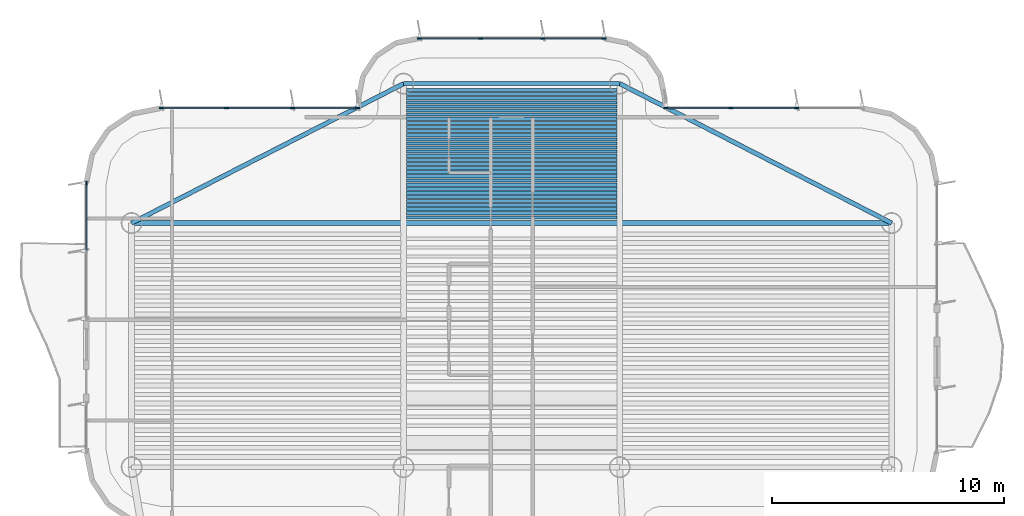
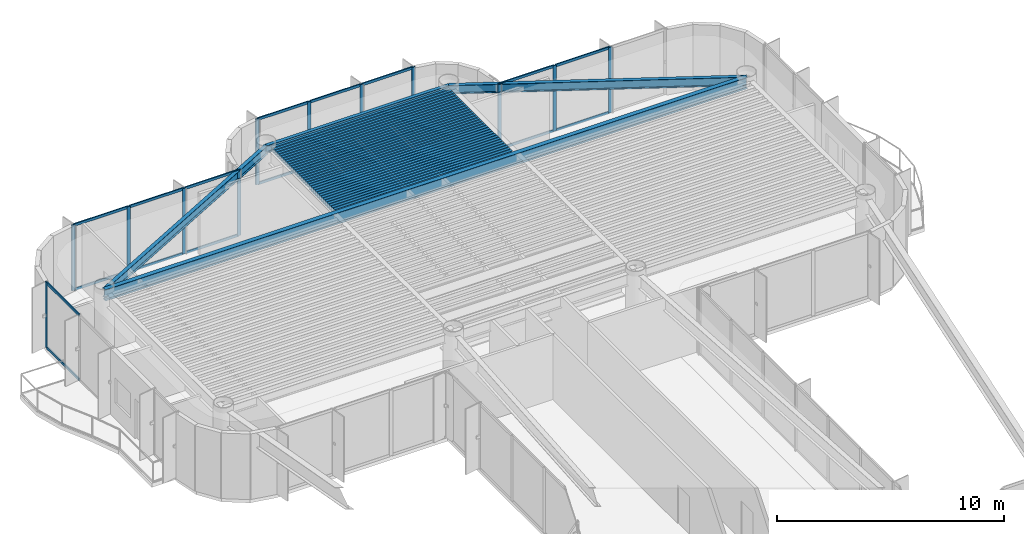
# One storey, part 7 of 15: 36 beams, 30 members, 4 elements without a shape of their own.
"""IFC4 building model written with IfcOpenShell, lengths in metres."""

from ifc_helpers import new_model, si_unit, direction, frame, origin, origin_2d, place, context, subcontext, project, spatial, rectangle, i_section, extrude, source, transform, mapped, material, layer, layer_set, material_profile, profile_set, type_object, element, aggregate, save


model = new_model("IFC4")

# Units and contexts
model_context = context("Model", 3, precision=1e-05, world=origin(), true_north=direction((0.0, 1.0)))
body_context = subcontext(model_context, "Body", "Model", "MODEL_VIEW")
ifc_project = project(units=[si_unit("LENGTHUNIT", "METRE"), si_unit("AREAUNIT", "SQUARE_METRE"), si_unit("VOLUMEUNIT", "CUBIC_METRE"), si_unit("PLANEANGLEUNIT", "RADIAN"), si_unit("MASSUNIT", "GRAM", prefix="KILO")], contexts=[model_context])

# Site, building, storey
site_placement = place(None, origin())
site = spatial("IfcSite", under=ifc_project, at=site_placement, CompositionType="ELEMENT")
building_placement = place(site_placement, origin())
building = spatial("IfcBuilding", under=site, at=building_placement, Name="Brelvock Crest Care Tower", CompositionType="ELEMENT")
storey_placement = place(building_placement, frame((0.0, 0.0, 283.5)))
storey = spatial("IfcBuildingStorey", under=building, at=storey_placement, Name="L72", CompositionType="ELEMENT", Elevation=283.5)

# Beams
ifc_material_1 = material(Name="Steel Grade 350", Category="steel")
ifc_material_profile_1 = material_profile(ifc_material_1, i_section(OverallWidth=0.177978515625, OverallDepth=0.406005859375, WebThickness=0.0078125, FlangeThickness=0.0126953125, FilletRadius=0.011474609375, at=origin_2d()), Name="410UB59.7")
ifc_profile_set_1 = profile_set([ifc_material_profile_1], Name="Steel Grade 350")
beam_type_1 = type_object("IfcBeamType", Name="BM-SP1", PredefinedType="SPANDREL", material=ifc_profile_set_1)
shared_shape_1 = source(origin(), body_context, "Body", "SweptSolid", [
    extrude(i_section(OverallWidth=0.177978515625, OverallDepth=0.406005859375, WebThickness=0.0078125, FlangeThickness=0.0126953125, FilletRadius=0.011474609375, at=origin_2d()), origin(), (0.0, 0.0, 1.0), 9.2998046875),
])
beam_1_placement = place(storey_placement, frame((31.35009765625, 60.449951171875, 3.326904296875), z_axis=(1.0, 0.0, 0.0), x_axis=(0.0, 1.0, 0.0)))
element("IfcBeam", 1, at=beam_1_placement, inside=storey, type_object=beam_type_1, Name="BM-TWR-L72-08", PredefinedType="SPANDREL", context=body_context, shape_type="MappedRepresentation", body=[
    mapped(shared_shape_1, transform((0.0, 0.0, 0.0), x_axis=(1.0, 0.0, 0.0), y_axis=(0.0, 1.0, 0.0), z_axis=(0.0, 0.0, 1.0), scale=1.0)),
])
ifc_material_profile_2 = material_profile(ifc_material_1, i_section(OverallWidth=0.14599609375, OverallDepth=0.256103515625, WebThickness=0.00634765625, FlangeThickness=0.010986328125, FilletRadius=0.0087890625, at=origin_2d()), Name="250UB37.3")
ifc_profile_set_2 = profile_set([ifc_material_profile_2], Name="Steel Grade 350")
beam_type_2 = type_object("IfcBeamType", Name="BM-J3", PredefinedType="JOIST", material=ifc_profile_set_2)
shared_shape_2 = source(origin(), body_context, "Body", "SweptSolid", [
    extrude(i_section(OverallWidth=0.14599609375, OverallDepth=0.256103515625, WebThickness=0.00634765625, FlangeThickness=0.010986328125, FilletRadius=0.0087890625, at=origin_2d()), origin(), (0.0, 0.0, 1.0), 9.06982421875),
])
for number, where, z_axis, x_axis, name in (
    (2, (31.465087890625, 54.68994140625, 3.402099609375), (1.0, 0.0, 0.0), (0.0, 1.0, 0.0), "BM-JN-L72-1"),
    (3, (31.465087890625, 54.866943359375, 3.402099609375), (1.0, 0.0, 0.0), (0.0, 1.0, 0.0), "BM-JN-L72-2"),
    (4, (31.465087890625, 55.0439453125, 3.402099609375), (1.0, 0.0, 0.0), (0.0, 1.0, 0.0), "BM-JN-L72-3"),
    (5, (31.465087890625, 55.220947265625, 3.402099609375), (1.0, 0.0, 0.0), (0.0, 1.0, 0.0), "BM-JN-L72-4"),
    (6, (31.465087890625, 55.39794921875, 3.402099609375), (1.0, 0.0, 0.0), (0.0, 1.0, 0.0), "BM-JN-L72-5"),
    (7, (31.465087890625, 55.574951171875, 3.402099609375), (1.0, 0.0, 0.0), (0.0, 1.0, 0.0), "BM-JN-L72-6"),
    (8, (31.465087890625, 55.751953125, 3.402099609375), (1.0, 0.0, 0.0), (0.0, 1.0, 0.0), "BM-JN-L72-7"),
    (9, (31.465087890625, 55.928955078125, 3.402099609375), (1.0, 0.0, 0.0), (0.0, 1.0, 0.0), "BM-JN-L72-8"),
    (10, (31.465087890625, 56.10595703125, 3.402099609375), (1.0, 0.0, 0.0), (0.0, 1.0, 0.0), "BM-JN-L72-9"),
    (11, (31.465087890625, 56.282958984375, 3.402099609375), (1.0, 0.0, 0.0), (0.0, 1.0, 0.0), "BM-JN-L72-10"),
    (12, (31.465087890625, 56.4599609375, 3.402099609375), (1.0, 0.0, 0.0), (0.0, 1.0, 0.0), "BM-JN-L72-11"),
    (13, (31.465087890625, 56.636962890625, 3.402099609375), (1.0, 0.0, 0.0), (0.0, 1.0, 0.0), "BM-JN-L72-12"),
    (14, (31.465087890625, 56.81396484375, 3.402099609375), (1.0, 0.0, 0.0), (0.0, 1.0, 0.0), "BM-JN-L72-13"),
):
    element("IfcBeam", number, at=place(storey_placement, frame(where, z_axis=z_axis, x_axis=x_axis)), inside=storey, type_object=beam_type_2, Name=name, PredefinedType="JOIST", context=body_context, shape_type="MappedRepresentation", body=[
        mapped(shared_shape_2, transform((0.0, 0.0, 0.0), x_axis=(1.0, 0.0, 0.0), y_axis=(0.0, 1.0, 0.0), z_axis=(0.0, 0.0, 1.0), scale=1.0)),
    ])
ifc_material_profile_3 = material_profile(ifc_material_1, i_section(OverallWidth=0.134033203125, OverallDepth=0.20703125, WebThickness=0.00634765625, FlangeThickness=0.009521484375, FilletRadius=0.0087890625, at=origin_2d()), Name="200UB29.8")
ifc_profile_set_3 = profile_set([ifc_material_profile_3], Name="Steel Grade 350")
beam_type_3 = type_object("IfcBeamType", Name="BM-J4", PredefinedType="JOIST", material=ifc_profile_set_3)
shared_shape_3 = source(origin(), body_context, "Body", "SweptSolid", [
    extrude(i_section(OverallWidth=0.134033203125, OverallDepth=0.20703125, WebThickness=0.00634765625, FlangeThickness=0.009521484375, FilletRadius=0.0087890625, at=origin_2d()), origin(), (0.0, 0.0, 1.0), 9.06982421875),
])
for number, where, z_axis, x_axis, name in (
    (15, (31.465087890625, 56.990966796875, 3.426513671875), (1.0, 0.0, 0.0), (0.0, 1.0, 0.0), "BM-JN-L72-14"),
    (16, (31.465087890625, 57.16796875, 3.426513671875), (1.0, 0.0, 0.0), (0.0, 1.0, 0.0), "BM-JN-L72-15"),
    (17, (31.465087890625, 57.344970703125, 3.426513671875), (1.0, 0.0, 0.0), (0.0, 1.0, 0.0), "BM-JN-L72-16"),
    (18, (31.465087890625, 57.52197265625, 3.426513671875), (1.0, 0.0, 0.0), (0.0, 1.0, 0.0), "BM-JN-L72-17"),
    (19, (31.465087890625, 57.698974609375, 3.426513671875), (1.0, 0.0, 0.0), (0.0, 1.0, 0.0), "BM-JN-L72-18"),
    (20, (31.465087890625, 57.8759765625, 3.426513671875), (1.0, 0.0, 0.0), (0.0, 1.0, 0.0), "BM-JN-L72-19"),
    (21, (31.465087890625, 58.052978515625, 3.426513671875), (1.0, 0.0, 0.0), (0.0, 1.0, 0.0), "BM-JN-L72-20"),
    (22, (31.465087890625, 58.22998046875, 3.426513671875), (1.0, 0.0, 0.0), (0.0, 1.0, 0.0), "BM-JN-L72-21"),
    (23, (31.465087890625, 58.406982421875, 3.426513671875), (1.0, 0.0, 0.0), (0.0, 1.0, 0.0), "BM-JN-L72-22"),
    (24, (31.465087890625, 58.583984375, 3.426513671875), (1.0, 0.0, 0.0), (0.0, 1.0, 0.0), "BM-JN-L72-23"),
    (25, (31.465087890625, 58.760986328125, 3.426513671875), (1.0, 0.0, 0.0), (0.0, 1.0, 0.0), "BM-JN-L72-24"),
    (26, (31.465087890625, 58.93798828125, 3.426513671875), (1.0, 0.0, 0.0), (0.0, 1.0, 0.0), "BM-JN-L72-25"),
    (27, (31.465087890625, 59.114990234375, 3.426513671875), (1.0, 0.0, 0.0), (0.0, 1.0, 0.0), "BM-JN-L72-26"),
    (28, (31.465087890625, 59.2919921875, 3.426513671875), (1.0, 0.0, 0.0), (0.0, 1.0, 0.0), "BM-JN-L72-27"),
    (29, (31.465087890625, 59.468994140625, 3.426513671875), (1.0, 0.0, 0.0), (0.0, 1.0, 0.0), "BM-JN-L72-28"),
    (30, (31.465087890625, 59.64599609375, 3.426513671875), (1.0, 0.0, 0.0), (0.0, 1.0, 0.0), "BM-JN-L72-29"),
    (31, (31.465087890625, 59.822998046875, 3.426513671875), (1.0, 0.0, 0.0), (0.0, 1.0, 0.0), "BM-JN-L72-30"),
    (32, (31.465087890625, 60.0, 3.426513671875), (1.0, 0.0, 0.0), (0.0, 1.0, 0.0), "BM-JN-L72-31"),
    (33, (31.465087890625, 60.177001953125, 3.426513671875), (1.0, 0.0, 0.0), (0.0, 1.0, 0.0), "BM-JN-L72-32"),
):
    element("IfcBeam", number, at=place(storey_placement, frame(where, z_axis=z_axis, x_axis=x_axis)), inside=storey, type_object=beam_type_3, Name=name, PredefinedType="JOIST", context=body_context, shape_type="MappedRepresentation", body=[
        mapped(shared_shape_3, transform((0.0, 0.0, 0.0), x_axis=(1.0, 0.0, 0.0), y_axis=(0.0, 1.0, 0.0), z_axis=(0.0, 0.0, 1.0), scale=1.0)),
    ])
ifc_material_profile_4 = material_profile(ifc_material_1, i_section(OverallWidth=0.19091796875, OverallDepth=0.4599609375, WebThickness=0.010009765625, FlangeThickness=0.01611328125, FilletRadius=0.011474609375, at=origin_2d()), Name="460UB82.1")
ifc_profile_set_4 = profile_set([ifc_material_profile_4], Name="Steel Grade 350")
beam_type_4 = type_object("IfcBeamType", Name="BM-SP2", PredefinedType="SPANDREL", material=ifc_profile_set_4)
shared_shape_4 = source(origin(), body_context, "Body", "SweptSolid", [
    extrude(i_section(OverallWidth=0.19091796875, OverallDepth=0.4599609375, WebThickness=0.010009765625, FlangeThickness=0.01611328125, FilletRadius=0.011474609375, at=origin_2d()), origin(), (0.0, 0.0, 1.0), 13.14892578125),
])
for number, where, z_axis, x_axis, name in (
    (34, (19.64990234375, 54.449951171875, 3.300048828125), (0.889820555736, 0.456310616346, 0.0), (-0.456310616346, 0.889820555736, 0.0), "BM-TWR-L72-06"),
    (35, (40.64990234375, 60.449951171875, 3.300048828125), (0.889820555736, -0.456310616346, 0.0), (0.456310616346, 0.889820555736, 0.0), "BM-TWR-L72-07"),
):
    element("IfcBeam", number, at=place(storey_placement, frame(where, z_axis=z_axis, x_axis=x_axis)), inside=storey, type_object=beam_type_4, Name=name, PredefinedType="SPANDREL", context=body_context, shape_type="MappedRepresentation", body=[
        mapped(shared_shape_4, transform((0.0, 0.0, 0.0), x_axis=(1.0, 0.0, 0.0), y_axis=(0.0, 1.0, 0.0), z_axis=(0.0, 0.0, 1.0), scale=1.0)),
    ])
ifc_material_profile_5 = material_profile(ifc_material_1, i_section(OverallWidth=0.22900390625, OverallDepth=0.612060546875, WebThickness=0.011962890625, FlangeThickness=0.01953125, FilletRadius=0.013916015625, at=origin_2d()), Name="610UB125")
ifc_profile_set_5 = profile_set([ifc_material_profile_5], Name="Steel Grade 350")
beam_type_5 = type_object("IfcBeamType", Name="BM-G1", PredefinedType="BEAM", material=ifc_profile_set_5)
shared_shape_5 = source(origin(), body_context, "Body", "SweptSolid", [
    extrude(i_section(OverallWidth=0.22900390625, OverallDepth=0.612060546875, WebThickness=0.011962890625, FlangeThickness=0.01953125, FilletRadius=0.013916015625, at=origin_2d()), origin(), (0.0, 0.0, 1.0), 32.7001953125),
])
beam_2_placement = place(storey_placement, frame((19.64990234375, 54.449951171875, 3.22412109375), z_axis=(1.0, 0.0, 0.0), x_axis=(0.0, 1.0, 0.0)))
element("IfcBeam", 36, at=beam_2_placement, inside=storey, type_object=beam_type_5, Name="BM-TWR-L72-11", PredefinedType="BEAM", context=body_context, shape_type="MappedRepresentation", body=[
    mapped(shared_shape_5, transform((0.0, 0.0, 0.0), x_axis=(1.0, 0.0, 0.0), y_axis=(0.0, 1.0, 0.0), z_axis=(0.0, 0.0, 1.0), scale=1.0)),
])

# Curtain wall, member
ifc_material_2 = material(Name="Dark Glass Double Glazed Low-E", Category="glass")
ifc_layer = layer(ifc_material_2, 0.239990234375, Name="CWS-5")
ifc_layer_set = layer_set([ifc_layer], Name="Dark Glass Double Glazed Low-E")
curtain_wall_type = type_object("IfcCurtainWallType", Name="CWS-5", PredefinedType="NOTDEFINED", material=ifc_layer_set)
curtain_wall_1_placement = place(storey_placement, origin())
curtain_wall_1 = element("IfcCurtainWall", 37, at=curtain_wall_1_placement, inside=storey, type_object=curtain_wall_type, Name="L72 Curtain Wall E17B", PredefinedType="NOTDEFINED")
ifc_material_3 = material(Name="Aluminium 6063-T6", Category="aluminium")
ifc_material_profile_6 = material_profile(ifc_material_3, rectangle(XDim=0.06005859375, YDim=0.179931640625, at=origin_2d()), Name="ALU60x180")
ifc_profile_set_6 = profile_set([ifc_material_profile_6], Name="Aluminium 6063-T6")
member_type_1 = type_object("IfcMemberType", Name="CWM-2", PredefinedType="MULLION", material=ifc_profile_set_6)
shared_shape_6 = source(origin(), body_context, "Body", "SweptSolid", [
    extrude(rectangle(XDim=0.06005859375, YDim=0.179931640625, at=origin_2d()), origin(), (0.0, 0.0, 1.0), 3.530029296875),
])
member_1_placement = place(storey_placement, frame((17.699951171875, 56.169921875, 0.0), z_axis=(0.0, 0.0, 1.0), x_axis=(-1.0, 0.0, 0.0)))
member_1 = element("IfcMember", 38, at=member_1_placement, type_object=member_type_1, Name="CW-5 mullion 3", PredefinedType="MULLION", context=body_context, shape_type="MappedRepresentation", body=[
    mapped(shared_shape_6, transform((0.0, 0.0, 0.0), x_axis=(1.0, 0.0, 0.0), y_axis=(0.0, 1.0, 0.0), z_axis=(0.0, 0.0, 1.0), scale=1.0)),
])

# Curtain wall, members
curtain_wall_2_placement = place(storey_placement, origin())
curtain_wall_2 = element("IfcCurtainWall", 39, at=curtain_wall_2_placement, inside=storey, type_object=curtain_wall_type, Name="L72 Curtain Wall E22", PredefinedType="NOTDEFINED")
member_2_placement = place(storey_placement, frame((20.929931640625, 59.39990234375, 0.0), z_axis=(0.0, 0.0, 1.0), x_axis=(0.0, 1.0, 0.0)))
member_2 = element("IfcMember", 40, at=member_2_placement, type_object=member_type_1, Name="CW-5 mullion 1", PredefinedType="MULLION", context=body_context, shape_type="MappedRepresentation", body=[
    mapped(shared_shape_6, transform((0.0, 0.0, 0.0), x_axis=(1.0, 0.0, 0.0), y_axis=(0.0, 1.0, 0.0), z_axis=(0.0, 0.0, 1.0), scale=1.0)),
])
member_3_placement = place(storey_placement, frame((23.7333984375, 59.39990234375, 0.0), z_axis=(0.0, 0.0, 1.0), x_axis=(0.0, 1.0, 0.0)))
member_3 = element("IfcMember", 41, at=member_3_placement, type_object=member_type_1, Name="CW-5 mullion 2", PredefinedType="MULLION", context=body_context, shape_type="MappedRepresentation", body=[
    mapped(shared_shape_6, transform((0.0, 0.0, 0.0), x_axis=(1.0, 0.0, 0.0), y_axis=(0.0, 1.0, 0.0), z_axis=(0.0, 0.0, 1.0), scale=1.0)),
])
member_4_placement = place(storey_placement, frame((26.566650390625, 59.39990234375, 0.0), z_axis=(0.0, 0.0, 1.0), x_axis=(0.0, 1.0, 0.0)))
member_4 = element("IfcMember", 42, at=member_4_placement, type_object=member_type_1, Name="CW-5 mullion 3", PredefinedType="MULLION", context=body_context, shape_type="MappedRepresentation", body=[
    mapped(shared_shape_6, transform((0.0, 0.0, 0.0), x_axis=(1.0, 0.0, 0.0), y_axis=(0.0, 1.0, 0.0), z_axis=(0.0, 0.0, 1.0), scale=1.0)),
])
member_5_placement = place(storey_placement, frame((29.3701171875, 59.39990234375, 0.0), z_axis=(0.0, 0.0, 1.0), x_axis=(0.0, 1.0, 0.0)))
member_5 = element("IfcMember", 43, at=member_5_placement, type_object=member_type_1, Name="CW-5 mullion 4", PredefinedType="MULLION", context=body_context, shape_type="MappedRepresentation", body=[
    mapped(shared_shape_6, transform((0.0, 0.0, 0.0), x_axis=(1.0, 0.0, 0.0), y_axis=(0.0, 1.0, 0.0), z_axis=(0.0, 0.0, 1.0), scale=1.0)),
])

curtain_wall_3_placement = place(storey_placement, origin())
curtain_wall_3 = element("IfcCurtainWall", 44, at=curtain_wall_3_placement, inside=storey, type_object=curtain_wall_type, Name="L72 Curtain Wall E28", PredefinedType="NOTDEFINED")
member_6_placement = place(storey_placement, frame((32.030029296875, 62.39990234375, 0.0), z_axis=(0.0, 0.0, 1.0), x_axis=(0.0, 1.0, 0.0)))
member_6 = element("IfcMember", 45, at=member_6_placement, type_object=member_type_1, Name="CW-5 mullion 1", PredefinedType="MULLION", context=body_context, shape_type="MappedRepresentation", body=[
    mapped(shared_shape_6, transform((0.0, 0.0, 0.0), x_axis=(1.0, 0.0, 0.0), y_axis=(0.0, 1.0, 0.0), z_axis=(0.0, 0.0, 1.0), scale=1.0)),
])
member_7_placement = place(storey_placement, frame((34.666748046875, 62.39990234375, 0.0), z_axis=(0.0, 0.0, 1.0), x_axis=(0.0, 1.0, 0.0)))
member_7 = element("IfcMember", 46, at=member_7_placement, type_object=member_type_1, Name="CW-5 mullion 2", PredefinedType="MULLION", context=body_context, shape_type="MappedRepresentation", body=[
    mapped(shared_shape_6, transform((0.0, 0.0, 0.0), x_axis=(1.0, 0.0, 0.0), y_axis=(0.0, 1.0, 0.0), z_axis=(0.0, 0.0, 1.0), scale=1.0)),
])
member_8_placement = place(storey_placement, frame((37.333251953125, 62.39990234375, 0.0), z_axis=(0.0, 0.0, 1.0), x_axis=(0.0, 1.0, 0.0)))
member_8 = element("IfcMember", 47, at=member_8_placement, type_object=member_type_1, Name="CW-5 mullion 3", PredefinedType="MULLION", context=body_context, shape_type="MappedRepresentation", body=[
    mapped(shared_shape_6, transform((0.0, 0.0, 0.0), x_axis=(1.0, 0.0, 0.0), y_axis=(0.0, 1.0, 0.0), z_axis=(0.0, 0.0, 1.0), scale=1.0)),
])
member_9_placement = place(storey_placement, frame((39.969970703125, 62.39990234375, 0.0), z_axis=(0.0, 0.0, 1.0), x_axis=(0.0, 1.0, 0.0)))
member_9 = element("IfcMember", 48, at=member_9_placement, type_object=member_type_1, Name="CW-5 mullion 4", PredefinedType="MULLION", context=body_context, shape_type="MappedRepresentation", body=[
    mapped(shared_shape_6, transform((0.0, 0.0, 0.0), x_axis=(1.0, 0.0, 0.0), y_axis=(0.0, 1.0, 0.0), z_axis=(0.0, 0.0, 1.0), scale=1.0)),
])

curtain_wall_4_placement = place(storey_placement, origin())
curtain_wall_4 = element("IfcCurtainWall", 49, at=curtain_wall_4_placement, inside=storey, type_object=curtain_wall_type, Name="L72 Curtain Wall E34", PredefinedType="NOTDEFINED")
member_10_placement = place(storey_placement, frame((42.6298828125, 59.39990234375, 0.0), z_axis=(0.0, 0.0, 1.0), x_axis=(0.0, 1.0, 0.0)))
member_10 = element("IfcMember", 50, at=member_10_placement, type_object=member_type_1, Name="CW-5 mullion 1", PredefinedType="MULLION", context=body_context, shape_type="MappedRepresentation", body=[
    mapped(shared_shape_6, transform((0.0, 0.0, 0.0), x_axis=(1.0, 0.0, 0.0), y_axis=(0.0, 1.0, 0.0), z_axis=(0.0, 0.0, 1.0), scale=1.0)),
])
member_11_placement = place(storey_placement, frame((45.433349609375, 59.39990234375, 0.0), z_axis=(0.0, 0.0, 1.0), x_axis=(0.0, 1.0, 0.0)))
member_11 = element("IfcMember", 51, at=member_11_placement, type_object=member_type_1, Name="CW-5 mullion 2", PredefinedType="MULLION", context=body_context, shape_type="MappedRepresentation", body=[
    mapped(shared_shape_6, transform((0.0, 0.0, 0.0), x_axis=(1.0, 0.0, 0.0), y_axis=(0.0, 1.0, 0.0), z_axis=(0.0, 0.0, 1.0), scale=1.0)),
])
member_12_placement = place(storey_placement, frame((48.2666015625, 59.39990234375, 0.0), z_axis=(0.0, 0.0, 1.0), x_axis=(0.0, 1.0, 0.0)))
member_12 = element("IfcMember", 52, at=member_12_placement, type_object=member_type_1, Name="CW-5 mullion 3", PredefinedType="MULLION", context=body_context, shape_type="MappedRepresentation", body=[
    mapped(shared_shape_6, transform((0.0, 0.0, 0.0), x_axis=(1.0, 0.0, 0.0), y_axis=(0.0, 1.0, 0.0), z_axis=(0.0, 0.0, 1.0), scale=1.0)),
])

# Member
ifc_material_profile_7 = material_profile(ifc_material_3, rectangle(XDim=0.06005859375, YDim=0.139892578125, at=origin_2d()), Name="ALU60x140")
ifc_profile_set_7 = profile_set([ifc_material_profile_7], Name="Aluminium 6063-T6")
member_type_2 = type_object("IfcMemberType", Name="CWT-2", PredefinedType="USERDEFINED", material=ifc_profile_set_7)
shared_shape_7 = source(origin(), body_context, "Body", "SweptSolid", [
    extrude(rectangle(XDim=0.06005859375, YDim=0.139892578125, at=origin_2d()), origin(), (0.0, 0.0, 1.0), 2.57666015625),
])
member_13_placement = place(storey_placement, frame((32.06005859375, 62.39990234375, 0.030029296875), z_axis=(1.0, 0.0, 0.0), x_axis=(0.0, 1.0, 0.0)))
member_13 = element("IfcMember", 53, at=member_13_placement, type_object=member_type_2, Name="CW-5 transom 1.1", ObjectType="TRANSOM", PredefinedType="USERDEFINED", context=body_context, shape_type="MappedRepresentation", body=[
    mapped(shared_shape_7, transform((0.0, 0.0, 0.0), x_axis=(1.0, 0.0, 0.0), y_axis=(0.0, 1.0, 0.0), z_axis=(0.0, 0.0, 1.0), scale=1.0)),
])

member_14_placement = place(storey_placement, frame((32.06005859375, 62.39990234375, 3.5), z_axis=(1.0, 0.0, 0.0), x_axis=(0.0, 1.0, 0.0)))
member_14 = element("IfcMember", 54, at=member_14_placement, type_object=member_type_2, Name="CW-5 transom 1.2", ObjectType="TRANSOM", PredefinedType="USERDEFINED", context=body_context, shape_type="MappedRepresentation", body=[
    mapped(shared_shape_7, transform((0.0, 0.0, 0.0), x_axis=(1.0, 0.0, 0.0), y_axis=(0.0, 1.0, 0.0), z_axis=(0.0, 0.0, 1.0), scale=1.0)),
])

member_15_placement = place(storey_placement, frame((37.36328125, 62.39990234375, 0.030029296875), z_axis=(1.0, 0.0, 0.0), x_axis=(0.0, 1.0, 0.0)))
member_15 = element("IfcMember", 55, at=member_15_placement, type_object=member_type_2, Name="CW-5 transom 3.1", ObjectType="TRANSOM", PredefinedType="USERDEFINED", context=body_context, shape_type="MappedRepresentation", body=[
    mapped(shared_shape_7, transform((0.0, 0.0, 0.0), x_axis=(1.0, 0.0, 0.0), y_axis=(0.0, 1.0, 0.0), z_axis=(0.0, 0.0, 1.0), scale=1.0)),
])

member_16_placement = place(storey_placement, frame((37.36328125, 62.39990234375, 3.5), z_axis=(1.0, 0.0, 0.0), x_axis=(0.0, 1.0, 0.0)))
member_16 = element("IfcMember", 56, at=member_16_placement, type_object=member_type_2, Name="CW-5 transom 3.2", ObjectType="TRANSOM", PredefinedType="USERDEFINED", context=body_context, shape_type="MappedRepresentation", body=[
    mapped(shared_shape_7, transform((0.0, 0.0, 0.0), x_axis=(1.0, 0.0, 0.0), y_axis=(0.0, 1.0, 0.0), z_axis=(0.0, 0.0, 1.0), scale=1.0)),
])

shared_shape_8 = source(origin(), body_context, "Body", "SweptSolid", [
    extrude(rectangle(XDim=0.06005859375, YDim=0.139892578125, at=origin_2d()), origin(), (0.0, 0.0, 1.0), 2.743408203125),
])
member_17_placement = place(storey_placement, frame((20.9599609375, 59.39990234375, 0.030029296875), z_axis=(1.0, 0.0, 0.0), x_axis=(0.0, 1.0, 0.0)))
member_17 = element("IfcMember", 57, at=member_17_placement, type_object=member_type_2, Name="CW-5 transom 1.1", ObjectType="TRANSOM", PredefinedType="USERDEFINED", context=body_context, shape_type="MappedRepresentation", body=[
    mapped(shared_shape_8, transform((0.0, 0.0, 0.0), x_axis=(1.0, 0.0, 0.0), y_axis=(0.0, 1.0, 0.0), z_axis=(0.0, 0.0, 1.0), scale=1.0)),
])

member_18_placement = place(storey_placement, frame((20.9599609375, 59.39990234375, 3.5), z_axis=(1.0, 0.0, 0.0), x_axis=(0.0, 1.0, 0.0)))
member_18 = element("IfcMember", 58, at=member_18_placement, type_object=member_type_2, Name="CW-5 transom 1.2", ObjectType="TRANSOM", PredefinedType="USERDEFINED", context=body_context, shape_type="MappedRepresentation", body=[
    mapped(shared_shape_8, transform((0.0, 0.0, 0.0), x_axis=(1.0, 0.0, 0.0), y_axis=(0.0, 1.0, 0.0), z_axis=(0.0, 0.0, 1.0), scale=1.0)),
])

member_19_placement = place(storey_placement, frame((26.5966796875, 59.39990234375, 0.030029296875), z_axis=(1.0, 0.0, 0.0), x_axis=(0.0, 1.0, 0.0)))
member_19 = element("IfcMember", 59, at=member_19_placement, type_object=member_type_2, Name="CW-5 transom 3.1", ObjectType="TRANSOM", PredefinedType="USERDEFINED", context=body_context, shape_type="MappedRepresentation", body=[
    mapped(shared_shape_8, transform((0.0, 0.0, 0.0), x_axis=(1.0, 0.0, 0.0), y_axis=(0.0, 1.0, 0.0), z_axis=(0.0, 0.0, 1.0), scale=1.0)),
])

member_20_placement = place(storey_placement, frame((26.5966796875, 59.39990234375, 3.5), z_axis=(1.0, 0.0, 0.0), x_axis=(0.0, 1.0, 0.0)))
member_20 = element("IfcMember", 60, at=member_20_placement, type_object=member_type_2, Name="CW-5 transom 3.2", ObjectType="TRANSOM", PredefinedType="USERDEFINED", context=body_context, shape_type="MappedRepresentation", body=[
    mapped(shared_shape_8, transform((0.0, 0.0, 0.0), x_axis=(1.0, 0.0, 0.0), y_axis=(0.0, 1.0, 0.0), z_axis=(0.0, 0.0, 1.0), scale=1.0)),
])

member_21_placement = place(storey_placement, frame((42.659912109375, 59.39990234375, 0.030029296875), z_axis=(1.0, 0.0, 0.0), x_axis=(0.0, 1.0, 0.0)))
member_21 = element("IfcMember", 61, at=member_21_placement, type_object=member_type_2, Name="CW-5 transom 1.1", ObjectType="TRANSOM", PredefinedType="USERDEFINED", context=body_context, shape_type="MappedRepresentation", body=[
    mapped(shared_shape_8, transform((0.0, 0.0, 0.0), x_axis=(1.0, 0.0, 0.0), y_axis=(0.0, 1.0, 0.0), z_axis=(0.0, 0.0, 1.0), scale=1.0)),
])

member_22_placement = place(storey_placement, frame((42.659912109375, 59.39990234375, 3.5), z_axis=(1.0, 0.0, 0.0), x_axis=(0.0, 1.0, 0.0)))
member_22 = element("IfcMember", 62, at=member_22_placement, type_object=member_type_2, Name="CW-5 transom 1.2", ObjectType="TRANSOM", PredefinedType="USERDEFINED", context=body_context, shape_type="MappedRepresentation", body=[
    mapped(shared_shape_8, transform((0.0, 0.0, 0.0), x_axis=(1.0, 0.0, 0.0), y_axis=(0.0, 1.0, 0.0), z_axis=(0.0, 0.0, 1.0), scale=1.0)),
])

shared_shape_9 = source(origin(), body_context, "Body", "SweptSolid", [
    extrude(rectangle(XDim=0.06005859375, YDim=0.139892578125, at=origin_2d()), origin(), (0.0, 0.0, 1.0), 2.773193359375),
])
member_23_placement = place(storey_placement, frame((23.763427734375, 59.39990234375, 0.030029296875), z_axis=(1.0, 0.0, 0.0), x_axis=(0.0, 1.0, 0.0)))
member_23 = element("IfcMember", 63, at=member_23_placement, type_object=member_type_2, Name="CW-5 transom 2.1", ObjectType="TRANSOM", PredefinedType="USERDEFINED", context=body_context, shape_type="MappedRepresentation", body=[
    mapped(shared_shape_9, transform((0.0, 0.0, 0.0), x_axis=(1.0, 0.0, 0.0), y_axis=(0.0, 1.0, 0.0), z_axis=(0.0, 0.0, 1.0), scale=1.0)),
])

member_24_placement = place(storey_placement, frame((23.763427734375, 59.39990234375, 3.5), z_axis=(1.0, 0.0, 0.0), x_axis=(0.0, 1.0, 0.0)))
member_24 = element("IfcMember", 64, at=member_24_placement, type_object=member_type_2, Name="CW-5 transom 2.2", ObjectType="TRANSOM", PredefinedType="USERDEFINED", context=body_context, shape_type="MappedRepresentation", body=[
    mapped(shared_shape_9, transform((0.0, 0.0, 0.0), x_axis=(1.0, 0.0, 0.0), y_axis=(0.0, 1.0, 0.0), z_axis=(0.0, 0.0, 1.0), scale=1.0)),
])

aggregate(curtain_wall_2, [member_2, member_3, member_4, member_5, member_17, member_18, member_23, member_24, member_19, member_20])

member_25_placement = place(storey_placement, frame((45.46337890625, 59.39990234375, 0.030029296875), z_axis=(1.0, 0.0, 0.0), x_axis=(0.0, 1.0, 0.0)))
member_25 = element("IfcMember", 65, at=member_25_placement, type_object=member_type_2, Name="CW-5 transom 2.1", ObjectType="TRANSOM", PredefinedType="USERDEFINED", context=body_context, shape_type="MappedRepresentation", body=[
    mapped(shared_shape_9, transform((0.0, 0.0, 0.0), x_axis=(1.0, 0.0, 0.0), y_axis=(0.0, 1.0, 0.0), z_axis=(0.0, 0.0, 1.0), scale=1.0)),
])

member_26_placement = place(storey_placement, frame((45.46337890625, 59.39990234375, 3.5), z_axis=(1.0, 0.0, 0.0), x_axis=(0.0, 1.0, 0.0)))
member_26 = element("IfcMember", 66, at=member_26_placement, type_object=member_type_2, Name="CW-5 transom 2.2", ObjectType="TRANSOM", PredefinedType="USERDEFINED", context=body_context, shape_type="MappedRepresentation", body=[
    mapped(shared_shape_9, transform((0.0, 0.0, 0.0), x_axis=(1.0, 0.0, 0.0), y_axis=(0.0, 1.0, 0.0), z_axis=(0.0, 0.0, 1.0), scale=1.0)),
])

aggregate(curtain_wall_4, [member_10, member_11, member_12, member_21, member_22, member_25, member_26])

shared_shape_10 = source(origin(), body_context, "Body", "SweptSolid", [
    extrude(rectangle(XDim=0.06005859375, YDim=0.139892578125, at=origin_2d()), origin(), (0.0, 0.0, 1.0), 2.6064453125),
])
member_27_placement = place(storey_placement, frame((34.69677734375, 62.39990234375, 0.030029296875), z_axis=(1.0, 0.0, 0.0), x_axis=(0.0, 1.0, 0.0)))
member_27 = element("IfcMember", 67, at=member_27_placement, type_object=member_type_2, Name="CW-5 transom 2.1", ObjectType="TRANSOM", PredefinedType="USERDEFINED", context=body_context, shape_type="MappedRepresentation", body=[
    mapped(shared_shape_10, transform((0.0, 0.0, 0.0), x_axis=(1.0, 0.0, 0.0), y_axis=(0.0, 1.0, 0.0), z_axis=(0.0, 0.0, 1.0), scale=1.0)),
])

member_28_placement = place(storey_placement, frame((34.69677734375, 62.39990234375, 3.5), z_axis=(1.0, 0.0, 0.0), x_axis=(0.0, 1.0, 0.0)))
member_28 = element("IfcMember", 68, at=member_28_placement, type_object=member_type_2, Name="CW-5 transom 2.2", ObjectType="TRANSOM", PredefinedType="USERDEFINED", context=body_context, shape_type="MappedRepresentation", body=[
    mapped(shared_shape_10, transform((0.0, 0.0, 0.0), x_axis=(1.0, 0.0, 0.0), y_axis=(0.0, 1.0, 0.0), z_axis=(0.0, 0.0, 1.0), scale=1.0)),
])

aggregate(curtain_wall_3, [member_6, member_7, member_8, member_9, member_13, member_14, member_27, member_28, member_15, member_16])

shared_shape_11 = source(origin(), body_context, "Body", "SweptSolid", [
    extrude(rectangle(XDim=0.06005859375, YDim=0.139892578125, at=origin_2d()), origin(), (0.0, 0.0, 1.0), 2.85986328125),
])
member_29_placement = place(storey_placement, frame((17.699951171875, 53.280029296875, 0.030029296875), z_axis=(0.0, 1.0, 0.0), x_axis=(-1.0, 0.0, 0.0)))
member_29 = element("IfcMember", 69, at=member_29_placement, type_object=member_type_2, Name="CW-5 transom 2.1", ObjectType="TRANSOM", PredefinedType="USERDEFINED", context=body_context, shape_type="MappedRepresentation", body=[
    mapped(shared_shape_11, transform((0.0, 0.0, 0.0), x_axis=(1.0, 0.0, 0.0), y_axis=(0.0, 1.0, 0.0), z_axis=(0.0, 0.0, 1.0), scale=1.0)),
])

member_30_placement = place(storey_placement, frame((17.699951171875, 53.280029296875, 3.5), z_axis=(0.0, 1.0, 0.0), x_axis=(-1.0, 0.0, 0.0)))
member_30 = element("IfcMember", 70, at=member_30_placement, type_object=member_type_2, Name="CW-5 transom 2.2", ObjectType="TRANSOM", PredefinedType="USERDEFINED", context=body_context, shape_type="MappedRepresentation", body=[
    mapped(shared_shape_11, transform((0.0, 0.0, 0.0), x_axis=(1.0, 0.0, 0.0), y_axis=(0.0, 1.0, 0.0), z_axis=(0.0, 0.0, 1.0), scale=1.0)),
])

aggregate(curtain_wall_1, [member_1, member_29, member_30])

save(model, "model.ifc")
